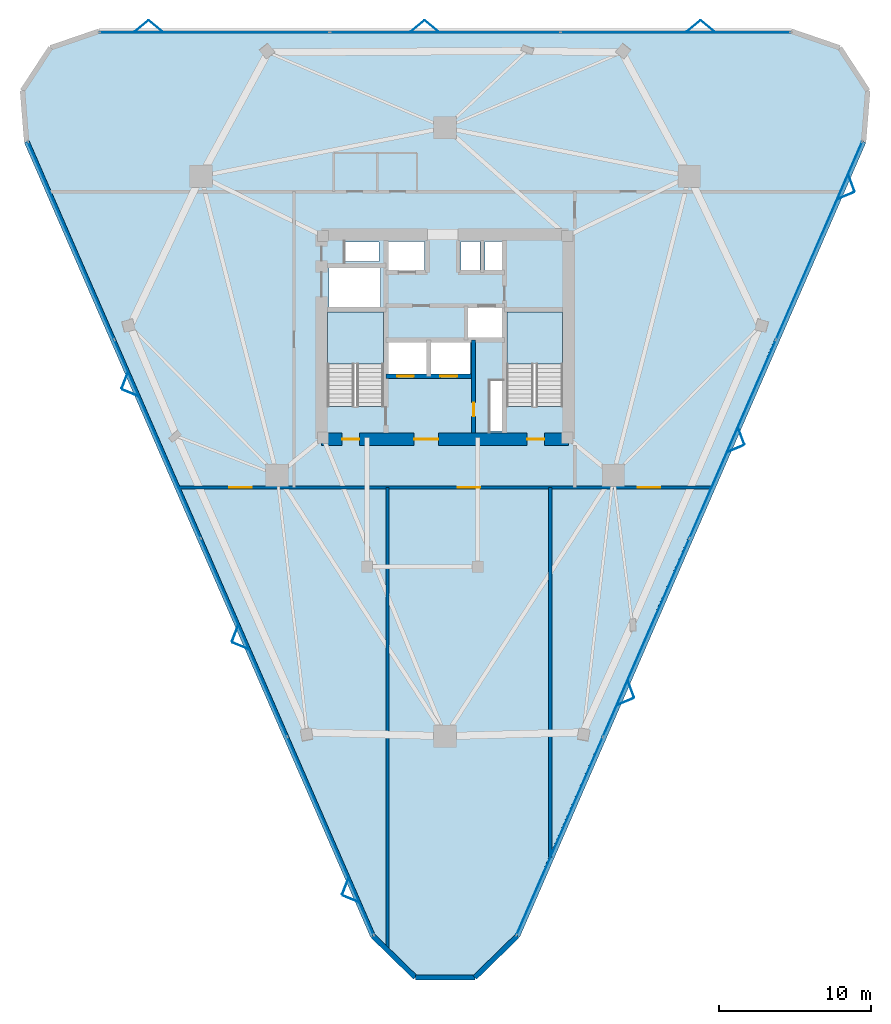
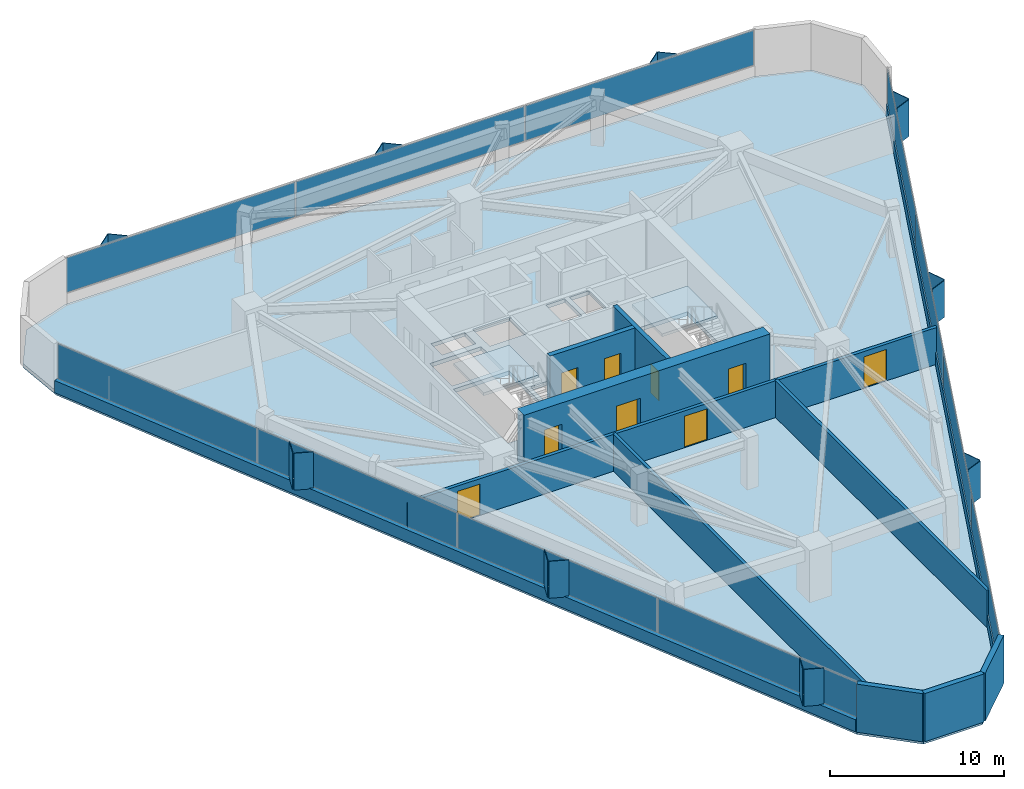
# One storey, part 8 of 11: 29 plates, 11 walls, 9 doors, 3 slabs, 9 openings, 5 elements without a shape of their own.
"""IFC4 building model written with IfcOpenShell, lengths in metres."""

from ifc_helpers import new_model, si_unit, direction, frame, frame_2d, origin, origin_2d, place, context, subcontext, project, spatial, polyline, rectangle, outline, extrude, material, layer, layer_set, type_object, element, fill, aggregate, save


model = new_model("IFC4")

# Units and contexts
model_context = context("Model", 3, precision=1e-05, world=origin(), true_north=direction((0.0, 1.0)))
body_context = subcontext(model_context, "Body", "Model", "MODEL_VIEW")
ifc_project = project(units=[si_unit("LENGTHUNIT", "METRE"), si_unit("AREAUNIT", "SQUARE_METRE"), si_unit("VOLUMEUNIT", "CUBIC_METRE"), si_unit("PLANEANGLEUNIT", "RADIAN"), si_unit("MASSUNIT", "GRAM", prefix="KILO")], contexts=[model_context])

# Site, building, storey
site_placement = place(None, origin())
site = spatial("IfcSite", under=ifc_project, at=site_placement, CompositionType="ELEMENT")
building_placement = place(site_placement, origin())
building = spatial("IfcBuilding", under=site, at=building_placement, Name="Talyreon Biosciences Tower", CompositionType="ELEMENT")
storey_placement = place(building_placement, frame((0.0, 0.0, 163.699951171875)))
storey = spatial("IfcBuildingStorey", under=building, at=storey_placement, Name="L43", CompositionType="ELEMENT", Elevation=163.699951171875)

# Curtain wall, plates
ifc_material_1 = material(Name="Thermally broken aluminium and low-E glazing", Category="aluminium")
ifc_layer_1 = layer(ifc_material_1, 0.18505859375)
ifc_layer_set_1 = layer_set([ifc_layer_1], Name="Thermally broken aluminium and low-E glazing")
curtain_wall_type = type_object("IfcCurtainWallType", Name="CurtainWall_Zone3Bioprocess", PredefinedType="NOTDEFINED", material=ifc_layer_set_1)
curtain_wall_1_placement = place(storey_placement, origin())
curtain_wall_1 = element("IfcCurtainWall", 1, at=curtain_wall_1_placement, inside=storey, type_object=curtain_wall_type, Name="L43 Unitised Curtain Wall FCW-L43-00", PredefinedType="NOTDEFINED")
ifc_material_2 = material(Name="Triple-silver low-E insulated glazing", Category="glass")
ifc_layer_2 = layer(ifc_material_2, 0.031982421875)
ifc_layer_set_2 = layer_set([ifc_layer_2], Name="Triple-silver low-E insulated glazing")
plate_type_1 = type_object("IfcPlateType", Name="CWGlazingPanel_32", PredefinedType="CURTAIN_PANEL", material=ifc_layer_set_2)
plate_1_placement = place(storey_placement, frame((58.446533203125, 35.08935546875, 0.875), z_axis=(0.0, 0.0, 1.0), x_axis=(-0.399504605621, 0.916731187474, 0.0)))
plate_1 = element("IfcPlate", 2, at=plate_1_placement, type_object=plate_type_1, Name="CW4 panel 1.1", PredefinedType="CURTAIN_PANEL", context=body_context, shape_type="SweptSolid", body=[
    extrude(rectangle(XDim=14.18701171875, YDim=0.031982421875, at=origin_2d()), origin(), (0.0, 0.0, 1.0), 2.43505859375),
])
plate_2_placement = place(storey_placement, frame((52.74609375, 48.16943359375, 0.875), z_axis=(0.0, 0.0, 1.0), x_axis=(-0.399504605621, 0.916731187474, 0.0)))
plate_2 = element("IfcPlate", 3, at=plate_2_placement, type_object=plate_type_1, Name="CW4 panel 2.1", PredefinedType="CURTAIN_PANEL", context=body_context, shape_type="SweptSolid", body=[
    extrude(rectangle(XDim=14.219482421875, YDim=0.031982421875, at=origin_2d()), origin(), (0.0, 0.0, 1.0), 2.43505859375),
])
plate_3_placement = place(storey_placement, frame((47.03955078125, 61.264404296875, 0.875), z_axis=(0.0, 0.0, 1.0), x_axis=(-0.399504605621, 0.916731187474, 0.0)))
plate_3 = element("IfcPlate", 4, at=plate_3_placement, type_object=plate_type_1, Name="CW4 panel 3.1", PredefinedType="CURTAIN_PANEL", context=body_context, shape_type="SweptSolid", body=[
    extrude(rectangle(XDim=14.219482421875, YDim=0.031982421875, at=origin_2d()), origin(), (0.0, 0.0, 1.0), 2.43505859375),
])
plate_4_placement = place(storey_placement, frame((41.33935546875, 74.3447265625, 0.875), z_axis=(0.0, 0.0, 1.0), x_axis=(-0.399504605621, 0.916731187474, 0.0)))
plate_4 = element("IfcPlate", 5, at=plate_4_placement, type_object=plate_type_1, Name="CW4 panel 4.1", PredefinedType="CURTAIN_PANEL", context=body_context, shape_type="SweptSolid", body=[
    extrude(rectangle(XDim=14.18701171875, YDim=0.031982421875, at=origin_2d()), origin(), (0.0, 0.0, 1.0), 2.43505859375),
])
aggregate(curtain_wall_1, [plate_1, plate_2, plate_3, plate_4])

curtain_wall_2_placement = place(storey_placement, origin())
curtain_wall_2 = element("IfcCurtainWall", 6, at=curtain_wall_2_placement, inside=storey, type_object=curtain_wall_type, Name="L43 Unitised Curtain Wall FCW-L43-04", PredefinedType="NOTDEFINED")
plate_5_placement = place(storey_placement, frame((50.79833984375, 88.072509765625, 0.875), z_axis=(0.0, 0.0, 1.0), x_axis=(1.0, 0.0, 0.0)))
plate_5 = element("IfcPlate", 7, at=plate_5_placement, type_object=plate_type_1, Name="CW4 panel 1.1", PredefinedType="CURTAIN_PANEL", context=body_context, shape_type="SweptSolid", body=[
    extrude(rectangle(XDim=15.120361328125, YDim=0.031982421875, at=origin_2d()), origin(), (0.0, 0.0, 1.0), 2.43505859375),
])
plate_6_placement = place(storey_placement, frame((66.0, 88.072509765625, 0.875), z_axis=(0.0, 0.0, 1.0), x_axis=(1.0, 0.0, 0.0)))
plate_6 = element("IfcPlate", 8, at=plate_6_placement, type_object=plate_type_1, Name="CW4 panel 2.1", PredefinedType="CURTAIN_PANEL", context=body_context, shape_type="SweptSolid", body=[
    extrude(rectangle(XDim=15.15283203125, YDim=0.031982421875, at=origin_2d()), origin(), (0.0, 0.0, 1.0), 2.43505859375),
])
plate_7_placement = place(storey_placement, frame((81.20166015625, 88.072509765625, 0.875), z_axis=(0.0, 0.0, 1.0), x_axis=(1.0, 0.0, 0.0)))
plate_7 = element("IfcPlate", 9, at=plate_7_placement, type_object=plate_type_1, Name="CW4 panel 3.1", PredefinedType="CURTAIN_PANEL", context=body_context, shape_type="SweptSolid", body=[
    extrude(rectangle(XDim=15.120361328125, YDim=0.031982421875, at=origin_2d()), origin(), (0.0, 0.0, 1.0), 2.43505859375),
])
aggregate(curtain_wall_2, [plate_5, plate_6, plate_7])

curtain_wall_3_placement = place(storey_placement, origin())
curtain_wall_3 = element("IfcCurtainWall", 10, at=curtain_wall_3_placement, inside=storey, type_object=curtain_wall_type, Name="L43 Unitised Curtain Wall FCW-L43-08", PredefinedType="NOTDEFINED")
plate_8_placement = place(storey_placement, frame((90.66064453125, 74.3447265625, 0.875), z_axis=(0.0, 0.0, 1.0), x_axis=(-0.399504605621, -0.916731187474, 0.0)))
plate_8 = element("IfcPlate", 11, at=plate_8_placement, type_object=plate_type_1, Name="CW4 panel 1.1", PredefinedType="CURTAIN_PANEL", context=body_context, shape_type="SweptSolid", body=[
    extrude(rectangle(XDim=14.18701171875, YDim=0.031982421875, at=origin_2d()), origin(), (0.0, 0.0, 1.0), 2.43505859375),
])
plate_9_placement = place(storey_placement, frame((84.96044921875, 61.264404296875, 0.875), z_axis=(0.0, 0.0, 1.0), x_axis=(-0.399504605621, -0.916731187474, 0.0)))
plate_9 = element("IfcPlate", 12, at=plate_9_placement, type_object=plate_type_1, Name="CW4 panel 2.1", PredefinedType="CURTAIN_PANEL", context=body_context, shape_type="SweptSolid", body=[
    extrude(rectangle(XDim=14.219482421875, YDim=0.031982421875, at=origin_2d()), origin(), (0.0, 0.0, 1.0), 2.43505859375),
])
plate_10_placement = place(storey_placement, frame((79.25390625, 48.16943359375, 0.875), z_axis=(0.0, 0.0, 1.0), x_axis=(-0.399504605621, -0.916731187474, 0.0)))
plate_10 = element("IfcPlate", 13, at=plate_10_placement, type_object=plate_type_1, Name="CW4 panel 3.1", PredefinedType="CURTAIN_PANEL", context=body_context, shape_type="SweptSolid", body=[
    extrude(rectangle(XDim=14.219482421875, YDim=0.031982421875, at=origin_2d()), origin(), (0.0, 0.0, 1.0), 2.43505859375),
])
plate_11_placement = place(storey_placement, frame((73.553466796875, 35.08935546875, 0.875), z_axis=(0.0, 0.0, 1.0), x_axis=(-0.399504605621, -0.916731187474, 0.0)))
plate_11 = element("IfcPlate", 14, at=plate_11_placement, type_object=plate_type_1, Name="CW4 panel 4.1", PredefinedType="CURTAIN_PANEL", context=body_context, shape_type="SweptSolid", body=[
    extrude(rectangle(XDim=14.18701171875, YDim=0.031982421875, at=origin_2d()), origin(), (0.0, 0.0, 1.0), 2.43505859375),
])
aggregate(curtain_wall_3, [plate_8, plate_9, plate_10, plate_11])

# Plates
ifc_material_3 = material(Name="Ivory GFRC sunshade panel", Category="concrete")
ifc_layer_3 = layer(ifc_material_3, 0.044921875)
ifc_layer_set_3 = layer_set([ifc_layer_3], Name="Ivory GFRC sunshade panel")
plate_type_2 = type_object("IfcPlateType", Name="FoldedVSunshade_NorthFace_SUNSHADE", PredefinedType="USERDEFINED", material=ifc_layer_set_3)
for number, where, z_axis, x_axis, name in (
    (15, (45.9931640625, 88.512451171875, 0.7900390625), (0.0, 0.0, 1.0), (0.771624583388, 0.636078220278, 0.0), "L43 Folded V-Sunshade Panel 04.01L"),
    (16, (46.89306640625, 88.512451171875, 0.7900390625), (0.0, 0.0, 1.0), (0.771624583388, -0.636078220278, 0.0), "L43 Folded V-Sunshade Panel 04.01R"),
    (17, (64.193115234375, 88.512451171875, 0.7900390625), (0.0, 0.0, 1.0), (0.771624583388, 0.636078220278, 0.0), "L43 Folded V-Sunshade Panel 04.02L"),
    (18, (65.093017578125, 88.512451171875, 0.7900390625), (0.0, 0.0, 1.0), (0.771624583388, -0.636078220278, 0.0), "L43 Folded V-Sunshade Panel 04.02R"),
    (19, (82.39306640625, 88.512451171875, 0.7900390625), (0.0, 0.0, 1.0), (0.771624583388, 0.636078220278, 0.0), "L43 Folded V-Sunshade Panel 04.03L"),
    (20, (83.293212890625, 88.512451171875, 0.7900390625), (0.0, 0.0, 1.0), (0.771624583388, -0.636078220278, 0.0), "L43 Folded V-Sunshade Panel 04.03R"),
):
    element("IfcPlate", number, at=place(storey_placement, frame(where, z_axis=z_axis, x_axis=x_axis)), inside=storey, type_object=plate_type_2, Name=name, ObjectType="SUNSHADE", PredefinedType="USERDEFINED", context=body_context, shape_type="SweptSolid", body=[
        extrude(rectangle(XDim=1.14990234375, YDim=0.044921875, at=origin_2d()), origin(), (0.0, 0.0, 1.0), 2.5849609375),
    ])
ifc_layer_4 = layer(ifc_material_3, 0.044921875)
ifc_layer_set_4 = layer_set([ifc_layer_4], Name="Ivory GFRC sunshade panel")
plate_type_3 = type_object("IfcPlateType", Name="FoldedVSunshade_SunFace_SUNSHADE", PredefinedType="USERDEFINED", material=ifc_layer_set_4)
for number, where, z_axis, x_axis, name in (
    (21, (59.7763671875, 30.936279296875, 0.7900390625), (0.0, 0.0, 1.0), (-0.924193138674, 0.381925440929, 0.0), "L43 Folded V-Sunshade Panel 00.01L"),
    (22, (59.416748046875, 31.76123046875, 0.7900390625), (0.0, 0.0, 1.0), (0.349438906874, 0.936959150851, 0.0), "L43 Folded V-Sunshade Panel 00.01R"),
    (23, (52.50537109375, 47.620849609375, 0.7900390625), (0.0, 0.0, 1.0), (-0.924193138674, 0.381925440929, 0.0), "L43 Folded V-Sunshade Panel 00.02L"),
    (24, (52.145751953125, 48.44580078125, 0.7900390625), (0.0, 0.0, 1.0), (0.349438906874, 0.936959150851, 0.0), "L43 Folded V-Sunshade Panel 00.02R"),
    (25, (45.234375, 64.305419921875, 0.7900390625), (0.0, 0.0, 1.0), (-0.924193138674, 0.381925440929, 0.0), "L43 Folded V-Sunshade Panel 00.03L"),
    (26, (44.875, 65.13037109375, 0.7900390625), (0.0, 0.0, 1.0), (0.349438906874, 0.936959150851, 0.0), "L43 Folded V-Sunshade Panel 00.03R"),
    (27, (92.79736328125, 78.14599609375, 0.7900390625), (0.0, 0.0, 1.0), (0.349438906874, -0.936959150851, 0.0), "L43 Folded V-Sunshade Panel 08.01L"),
    (28, (92.437744140625, 77.321044921875, 0.7900390625), (0.0, 0.0, 1.0), (-0.924193138674, -0.381925440929, 0.0), "L43 Folded V-Sunshade Panel 08.01R"),
    (29, (85.5263671875, 61.461669921875, 0.7900390625), (0.0, 0.0, 1.0), (0.349438906874, -0.936959150851, 0.0), "L43 Folded V-Sunshade Panel 08.02L"),
    (30, (85.166748046875, 60.636474609375, 0.7900390625), (0.0, 0.0, 1.0), (-0.924193138674, -0.381925440929, 0.0), "L43 Folded V-Sunshade Panel 08.02R"),
    (31, (78.25537109375, 44.777099609375, 0.7900390625), (0.0, 0.0, 1.0), (0.349438906874, -0.936959150851, 0.0), "L43 Folded V-Sunshade Panel 08.03L"),
    (32, (77.895751953125, 43.951904296875, 0.7900390625), (0.0, 0.0, 1.0), (-0.924193138674, -0.381925440929, 0.0), "L43 Folded V-Sunshade Panel 08.03R"),
):
    element("IfcPlate", number, at=place(storey_placement, frame(where, z_axis=z_axis, x_axis=x_axis)), inside=storey, type_object=plate_type_3, Name=name, ObjectType="SUNSHADE", PredefinedType="USERDEFINED", context=body_context, shape_type="SweptSolid", body=[
        extrude(rectangle(XDim=1.14990234375, YDim=0.044921875, at=origin_2d()), origin(), (0.0, 0.0, 1.0), 2.5849609375),
    ])

# Stair, slab
ifc_material_4 = material(Name="Concrete C40/50", Category="concrete")
stair_type = type_object("IfcStairType", Name="DoglegEscapeStair_3650", PredefinedType="HALF_TURN_STAIR", material=ifc_material_4)
stair_1_placement = place(storey_placement, origin())
stair_1 = element("IfcStair", 33, at=stair_1_placement, inside=storey, type_object=stair_type, Name="L43 Core Escape Stair 1", PredefinedType="HALF_TURN_STAIR")
ifc_layer_5 = layer(ifc_material_4, 0.199951171875)
ifc_layer_set_5 = layer_set([ifc_layer_5], Name="Concrete C40/50")
slab_type_1 = type_object("IfcSlabType", Name="StairLandingSlab_200", PredefinedType="LANDING", material=ifc_layer_set_5)
slab_1_placement = place(storey_placement, frame((0.0, 0.0, 1.625)))
slab_1 = element("IfcSlab", 34, at=slab_1_placement, type_object=slab_type_1, Name="ST-1 landing 1", PredefinedType="LANDING", context=body_context, shape_type="SweptSolid", body=[
    extrude(outline(polyline([(61.929931640625, 66.199951171875), (61.929931640625, 69.64990234375), (58.25, 69.64990234375), (58.25, 66.199951171875), (61.929931640625, 66.199951171875)])), origin(), (0.0, 0.0, 1.0), 0.199951171875),
])
aggregate(stair_1, [slab_1])

stair_2_placement = place(storey_placement, origin())
stair_2 = element("IfcStair", 35, at=stair_2_placement, inside=storey, type_object=stair_type, Name="L43 Core Escape Stair 2", PredefinedType="HALF_TURN_STAIR")
slab_2_placement = place(storey_placement, frame((0.0, 0.0, 1.625)))
slab_2 = element("IfcSlab", 36, at=slab_2_placement, type_object=slab_type_1, Name="ST-2 landing 1", PredefinedType="LANDING", context=body_context, shape_type="SweptSolid", body=[
    extrude(outline(polyline([(73.75, 66.199951171875), (73.75, 69.64990234375), (70.070068359375, 69.64990234375), (70.070068359375, 66.199951171875), (73.75, 66.199951171875)])), origin(), (0.0, 0.0, 1.0), 0.199951171875),
])
aggregate(stair_2, [slab_2])

# Slab
ifc_layer_6 = layer(ifc_material_4, 0.27490234375)
ifc_layer_set_6 = layer_set([ifc_layer_6], Name="Concrete C40/50")
slab_type_2 = type_object("IfcSlabType", Name="WetLabFloorSlab_275", PredefinedType="FLOOR", material=ifc_layer_set_6)
slab_3_placement = place(storey_placement, frame((0.0, 0.0, -0.27490234375)))
element("IfcSlab", 37, at=slab_3_placement, inside=storey, type_object=slab_type_2, Name="L43 Structural Floor Slab", PredefinedType="FLOOR", context=body_context, shape_type="SweptSolid", body=[
    extrude(outline(polyline([(61.23291015625, 28.494873046875), (38.406005859375, 80.875), (38.13427734375, 84.237060546875), (39.982421875, 87.05859375), (43.173095703125, 88.152587890625), (88.826904296875, 88.152587890625), (92.017578125, 87.05859375), (93.86572265625, 84.237060546875), (93.593994140625, 80.875), (70.76708984375, 28.494873046875), (67.960693359375, 25.756103515625), (64.039306640625, 25.756103515625), (61.23291015625, 28.494873046875)]), holes=[polyline([(61.929931640625, 69.64990234375), (61.929931640625, 63.407958984375), (58.25, 63.407958984375), (58.25, 69.64990234375), (61.929931640625, 69.64990234375)]), polyline([(64.800048828125, 67.64990234375), (64.800048828125, 65.550048828125), (62.199951171875, 65.550048828125), (62.199951171875, 67.64990234375), (64.800048828125, 67.64990234375)]), polyline([(67.64990234375, 67.64990234375), (67.64990234375, 65.550048828125), (65.050048828125, 65.550048828125), (65.050048828125, 67.64990234375), (67.64990234375, 67.64990234375)]), polyline([(61.75, 69.97998046875), (58.35009765625, 69.97998046875), (58.35009765625, 72.550048828125), (61.75, 72.550048828125), (61.75, 69.97998046875)]), polyline([(64.64990234375, 72.35009765625), (62.199951171875, 72.35009765625), (62.199951171875, 74.300048828125), (64.64990234375, 74.300048828125), (64.64990234375, 72.35009765625)]), polyline([(61.64990234375, 74.25), (61.64990234375, 72.9599609375), (59.39990234375, 72.9599609375), (59.39990234375, 74.25), (61.64990234375, 74.25)]), polyline([(69.820068359375, 61.800048828125), (68.9599609375, 61.800048828125), (68.9599609375, 65.10009765625), (69.820068359375, 65.10009765625), (69.820068359375, 61.800048828125)]), polyline([(73.75, 63.407958984375), (70.070068359375, 63.407958984375), (70.070068359375, 69.64990234375), (73.75, 69.64990234375), (73.75, 63.407958984375)]), polyline([(69.89990234375, 69.949951171875), (69.89990234375, 67.949951171875), (67.5, 67.949951171875), (67.5, 69.949951171875), (69.89990234375, 69.949951171875)]), polyline([(68.300048828125, 72.35009765625), (67.050048828125, 72.35009765625), (67.050048828125, 74.300048828125), (68.300048828125, 74.300048828125), (68.300048828125, 72.35009765625)]), polyline([(69.919921875, 72.35009765625), (68.6201171875, 72.35009765625), (68.6201171875, 74.300048828125), (69.919921875, 74.300048828125), (69.919921875, 72.35009765625)])]), origin(), (0.0, 0.0, 1.0), 0.27490234375),
])

# Walls
ifc_material_5 = material(Name="Gypsum fireboard acoustic stud", Category="gypsum")
ifc_layer_7 = layer(ifc_material_5, 0.199951171875)
ifc_layer_set_7 = layer_set([ifc_layer_7], Name="Gypsum fireboard acoustic stud")
wall_type_1 = type_object("IfcWallType", Name="ChemControlPartition_200", PredefinedType="PARTITIONING", material=ifc_layer_set_7)
wall_1_placement = place(storey_placement, frame((62.199951171875, 27.669921875, 0.0), z_axis=(0.0, 0.0, 1.0), x_axis=(0.0, 1.0, 0.0)))
element("IfcWall", 38, at=wall_1_placement, inside=storey, type_object=wall_type_1, Name="L43 Interior Wall IW-L43-SDIV1", PredefinedType="PARTITIONING", context=body_context, shape_type="SweptSolid", body=[
    extrude(rectangle(XDim=30.400146484375, YDim=0.199951171875, at=frame_2d((15.2001953125, 0.0))), origin(), (0.0, 0.0, 1.0), 2.574951171875),
])
wall_2_placement = place(storey_placement, frame((72.93408203125, 33.68017578125, 0.0), z_axis=(0.0, 0.0, 1.0), x_axis=(0.0, 1.0, 0.0)))
element("IfcWall", 39, at=wall_2_placement, inside=storey, type_object=wall_type_1, Name="L43 Interior Wall IW-L43-SDIV2", PredefinedType="PARTITIONING", context=body_context, shape_type="SweptSolid", body=[
    extrude(rectangle(XDim=24.389892578125, YDim=0.199951171875, at=frame_2d((12.19482421875, 0.0))), origin(), (0.0, 0.0, 1.0), 2.574951171875),
])

# Wall, opening, door
ifc_material_6 = material(Name="Concrete C50/60", Category="concrete")
ifc_layer_8 = layer(ifc_material_6, 0.280029296875)
ifc_layer_set_8 = layer_set([ifc_layer_8], Name="Concrete C50/60")
wall_type_2 = type_object("IfcWallType", Name="CoreShearWall_280", PredefinedType="SHEAR", material=ifc_layer_set_8)
wall_3_placement = place(storey_placement, frame((67.8798828125, 61.64990234375, 0.0), z_axis=(0.0, 0.0, 1.0), x_axis=(0.0, 1.0, 0.0)))
wall_3 = element("IfcWall", 40, at=wall_3_placement, inside=storey, type_object=wall_type_2, Name="L43 Core Shaft Wall SWFFE", PredefinedType="SHEAR", context=body_context, shape_type="SweptSolid", body=[
    extrude(rectangle(XDim=6.150146484375, YDim=0.280029296875, at=frame_2d((3.0751953125, 0.0))), origin(), (0.0, 0.0, 1.0), 3.650146484375),
])
opening_1_placement = place(wall_3_placement, frame((1.10009765625, 0.0, 0.0)))
opening_1 = element("IfcOpeningElement", 41, at=opening_1_placement, cuts=wall_3, Name="Opening DR-L43-RSE", PredefinedType="OPENING", context=body_context, shape_type="SweptSolid", body=[
    extrude(rectangle(XDim=0.919921875, YDim=2.050048828125, at=frame_2d((0.4599609375, 1.02490234375))), frame((0.0, 0.14990234375, 0.0), z_axis=(0.0, -1.0, 0.0), x_axis=(1.0, 0.0, 0.0)), (0.0, 0.0, 1.0), 0.300048828125),
])
ifc_material_7 = material(Name="Painted steel fire-rated riser door", Category="steel")
door_type_1 = type_object("IfcDoorType", Name="RiserPlantAccessDoor_920x2050", OperationType="NOTDEFINED", PredefinedType="DOOR", material=ifc_material_7)
door_1_placement = place(opening_1_placement, origin())
door_1 = element("IfcDoor", 42, at=door_1_placement, inside=storey, type_object=door_type_1, Name="L43 Core Door DR-L43-RSE", OperationType="SINGLE_SWING_RIGHT", OverallHeight=2.050048828125, OverallWidth=0.919921875, PredefinedType="DOOR", context=body_context, shape_type="SweptSolid", body=[
    extrude(rectangle(XDim=0.919921875, YDim=2.050048828125, at=frame_2d((0.4599609375, 1.02490234375))), frame((0.0, 0.02490234375, 0.0), z_axis=(0.0, -1.0, 0.0), x_axis=(1.0, 0.0, 0.0)), (0.0, 0.0, 1.0), 0.050048828125),
])
fill(opening_1, door_1)

# Wall, openings, doors
ifc_layer_9 = layer(ifc_material_6, 0.320068359375)
ifc_layer_set_9 = layer_set([ifc_layer_9], Name="Concrete C50/60")
wall_type_3 = type_object("IfcWallType", Name="CoreShearWall_320", PredefinedType="SHEAR", material=ifc_layer_set_9)
wall_4_placement = place(storey_placement, frame((62.090087890625, 65.39990234375, 0.0), z_axis=(0.0, 0.0, 1.0), x_axis=(1.0, 0.0, 0.0)))
wall_4 = element("IfcWall", 43, at=wall_4_placement, inside=storey, type_object=wall_type_3, Name="L43 Core Shaft Wall SWFFN", PredefinedType="SHEAR", context=body_context, shape_type="SweptSolid", body=[
    extrude(rectangle(XDim=5.789794921875, YDim=0.320068359375, at=frame_2d((2.89501953125, 0.0))), origin(), (0.0, 0.0, 1.0), 3.650146484375),
])
opening_2_placement = place(wall_4_placement, frame((0.75, 0.0, 0.0)))
opening_2 = element("IfcOpeningElement", 44, at=opening_2_placement, cuts=wall_4, Name="Opening LD-L43-FL1", PredefinedType="OPENING", context=body_context, shape_type="SweptSolid", body=[
    extrude(rectangle(XDim=1.10009765625, YDim=2.199951171875, at=frame_2d((0.550048828125, 1.10009765625))), frame((0.0, 0.169921875, 0.0), z_axis=(0.0, -1.0, 0.0), x_axis=(1.0, 0.0, 0.0)), (0.0, 0.0, 1.0), 0.340087890625),
])
opening_3_placement = place(wall_4_placement, frame((3.60009765625, 0.0, 0.0)))
opening_3 = element("IfcOpeningElement", 45, at=opening_3_placement, cuts=wall_4, Name="Opening LD-L43-FL2", PredefinedType="OPENING", context=body_context, shape_type="SweptSolid", body=[
    extrude(rectangle(XDim=1.10009765625, YDim=2.199951171875, at=frame_2d((0.550048828125, 1.10009765625))), frame((0.0, 0.169921875, 0.0), z_axis=(0.0, -1.0, 0.0), x_axis=(1.0, 0.0, 0.0)), (0.0, 0.0, 1.0), 0.340087890625),
])
ifc_material_8 = material(Name="Brushed stainless-steel lift landing door", Category="steel")
door_type_2 = type_object("IfcDoorType", Name="LiftSlidingLandingDoor_1100x2200", OperationType="SLIDING_TO_LEFT", PredefinedType="DOOR", material=ifc_material_8)
door_2_placement = place(opening_2_placement, origin())
door_2 = element("IfcDoor", 46, at=door_2_placement, inside=storey, type_object=door_type_2, Name="L43 Core Door LD-L43-FL1", OperationType="SLIDING_TO_LEFT", OverallHeight=2.199951171875, OverallWidth=1.10009765625, PredefinedType="DOOR", context=body_context, shape_type="SweptSolid", body=[
    extrude(rectangle(XDim=1.10009765625, YDim=2.199951171875, at=frame_2d((0.550048828125, 1.10009765625))), frame((0.0, 0.02490234375, 0.0), z_axis=(0.0, -1.0, 0.0), x_axis=(1.0, 0.0, 0.0)), (0.0, 0.0, 1.0), 0.050048828125),
])
fill(opening_2, door_2)
door_3_placement = place(opening_3_placement, origin())
door_3 = element("IfcDoor", 47, at=door_3_placement, inside=storey, type_object=door_type_2, Name="L43 Core Door LD-L43-FL2", OperationType="SLIDING_TO_LEFT", OverallHeight=2.199951171875, OverallWidth=1.10009765625, PredefinedType="DOOR", context=body_context, shape_type="SweptSolid", body=[
    extrude(rectangle(XDim=1.10009765625, YDim=2.199951171875, at=frame_2d((0.550048828125, 1.10009765625))), frame((0.0, 0.02490234375, 0.0), z_axis=(0.0, -1.0, 0.0), x_axis=(1.0, 0.0, 0.0)), (0.0, 0.0, 1.0), 0.050048828125),
])
fill(opening_3, door_3)

ifc_material_9 = material(Name="Concrete C60/75", Category="concrete")
ifc_layer_10 = layer(ifc_material_9, 0.800048828125)
ifc_layer_set_10 = layer_set([ifc_layer_10], Name="Concrete C60/75")
wall_type_4 = type_object("IfcWallType", Name="CoreShearWall_800", PredefinedType="SHEAR", material=ifc_layer_set_10)
wall_5_placement = place(storey_placement, frame((57.85009765625, 61.25, 0.0), z_axis=(0.0, 0.0, 1.0), x_axis=(1.0, 0.0, 0.0)))
wall_5 = element("IfcWall", 48, at=wall_5_placement, inside=storey, type_object=wall_type_4, Name="L43 Core Shear Wall S", PredefinedType="SHEAR", context=body_context, shape_type="SweptSolid", body=[
    extrude(rectangle(XDim=16.2998046875, YDim=0.800048828125, at=frame_2d((8.14990234375, 0.0))), origin(), (0.0, 0.0, 1.0), 3.650146484375),
])
opening_4_placement = place(wall_5_placement, frame((1.35009765625, 0.0, 0.0)))
opening_4 = element("IfcOpeningElement", 49, at=opening_4_placement, cuts=wall_5, Name="Opening DR-L43-ST1", PredefinedType="OPENING", context=body_context, shape_type="SweptSolid", body=[
    extrude(rectangle(XDim=1.14990234375, YDim=2.14990234375, at=frame_2d((0.574951171875, 1.074951171875))), frame((0.0, 0.409912109375, 0.0), z_axis=(0.0, -1.0, 0.0), x_axis=(1.0, 0.0, 0.0)), (0.0, 0.0, 1.0), 0.820068359375),
])
opening_5_placement = place(wall_5_placement, frame((6.10009765625, 0.0, 0.0)))
opening_5 = element("IfcOpeningElement", 50, at=opening_5_placement, cuts=wall_5, Name="Opening DR-L43-FFL", PredefinedType="OPENING", context=body_context, shape_type="SweptSolid", body=[
    extrude(rectangle(XDim=1.60009765625, YDim=2.14990234375, at=frame_2d((0.800048828125, 1.074951171875))), frame((0.0, 0.409912109375, 0.0), z_axis=(0.0, -1.0, 0.0), x_axis=(1.0, 0.0, 0.0)), (0.0, 0.0, 1.0), 0.820068359375),
])
opening_6_placement = place(wall_5_placement, frame((13.550048828125, 0.0, 0.0)))
opening_6 = element("IfcOpeningElement", 51, at=opening_6_placement, cuts=wall_5, Name="Opening DR-L43-ST2", PredefinedType="OPENING", context=body_context, shape_type="SweptSolid", body=[
    extrude(rectangle(XDim=1.14990234375, YDim=2.14990234375, at=frame_2d((0.574951171875, 1.074951171875))), frame((0.0, 0.409912109375, 0.0), z_axis=(0.0, -1.0, 0.0), x_axis=(1.0, 0.0, 0.0)), (0.0, 0.0, 1.0), 0.820068359375),
])
ifc_material_10 = material(Name="Painted steel smoke-seal fire door", Category="steel")
door_type_3 = type_object("IfcDoorType", Name="FirefightingLobbyDoubleDoor_1600x2150", OperationType="DOUBLE_DOOR_SINGLE_SWING", PredefinedType="DOOR", material=ifc_material_10)
door_4_placement = place(opening_5_placement, origin())
door_4 = element("IfcDoor", 52, at=door_4_placement, inside=storey, type_object=door_type_3, Name="L43 Core Door DR-L43-FFL", OperationType="DOUBLE_DOOR_SINGLE_SWING", OverallHeight=2.14990234375, OverallWidth=1.60009765625, PredefinedType="DOOR", context=body_context, shape_type="SweptSolid", body=[
    extrude(rectangle(XDim=1.60009765625, YDim=2.14990234375, at=frame_2d((0.800048828125, 1.074951171875))), frame((0.0, 0.02490234375, 0.0), z_axis=(0.0, -1.0, 0.0), x_axis=(1.0, 0.0, 0.0)), (0.0, 0.0, 1.0), 0.050048828125),
])
fill(opening_5, door_4)
ifc_material_11 = material(Name="Painted steel fire door", Category="steel")
door_type_4 = type_object("IfcDoorType", Name="StairShaftFireDoor_1150x2150", OperationType="NOTDEFINED", PredefinedType="DOOR", material=ifc_material_11)
door_5_placement = place(opening_4_placement, origin())
door_5 = element("IfcDoor", 53, at=door_5_placement, inside=storey, type_object=door_type_4, Name="L43 Core Door DR-L43-ST1", OperationType="SINGLE_SWING_LEFT", OverallHeight=2.14990234375, OverallWidth=1.14990234375, PredefinedType="DOOR", context=body_context, shape_type="SweptSolid", body=[
    extrude(rectangle(XDim=1.14990234375, YDim=2.14990234375, at=frame_2d((0.574951171875, 1.074951171875))), frame((0.0, 0.02490234375, 0.0), z_axis=(0.0, -1.0, 0.0), x_axis=(1.0, 0.0, 0.0)), (0.0, 0.0, 1.0), 0.050048828125),
])
fill(opening_4, door_5)
door_6_placement = place(opening_6_placement, origin())
door_6 = element("IfcDoor", 54, at=door_6_placement, inside=storey, type_object=door_type_4, Name="L43 Core Door DR-L43-ST2", OperationType="SINGLE_SWING_RIGHT", OverallHeight=2.14990234375, OverallWidth=1.14990234375, PredefinedType="DOOR", context=body_context, shape_type="SweptSolid", body=[
    extrude(rectangle(XDim=1.14990234375, YDim=2.14990234375, at=frame_2d((0.574951171875, 1.074951171875))), frame((0.0, 0.02490234375, 0.0), z_axis=(0.0, -1.0, 0.0), x_axis=(1.0, 0.0, 0.0)), (0.0, 0.0, 1.0), 0.050048828125),
])
fill(opening_6, door_6)

ifc_layer_11 = layer(ifc_material_5, 0.219970703125)
ifc_layer_set_11 = layer_set([ifc_layer_11], Name="Gypsum fireboard acoustic stud")
wall_type_5 = type_object("IfcWallType", Name="CorridorRatedPartition_220", PredefinedType="PARTITIONING", material=ifc_layer_set_11)
wall_6_placement = place(storey_placement, frame((48.43701171875, 58.070068359375, 0.0), z_axis=(0.0, 0.0, 1.0), x_axis=(1.0, 0.0, 0.0)))
wall_6 = element("IfcWall", 55, at=wall_6_placement, inside=storey, type_object=wall_type_5, Name="L43 Interior Wall IW-L43-COR-S", PredefinedType="PARTITIONING", context=body_context, shape_type="SweptSolid", body=[
    extrude(rectangle(XDim=35.1259765625, YDim=0.219970703125, at=frame_2d((17.56298828125, 0.0))), origin(), (0.0, 0.0, 1.0), 2.574951171875),
])
opening_7_placement = place(wall_6_placement, frame((3.31298828125, 0.0, 0.0)))
opening_7 = element("IfcOpeningElement", 56, at=opening_7_placement, cuts=wall_6, Name="Opening DR-L43-S1A", PredefinedType="OPENING", context=body_context, shape_type="SweptSolid", body=[
    extrude(rectangle(XDim=1.5, YDim=2.199951171875, at=frame_2d((0.75, 1.10009765625))), frame((0.0, 0.119873046875, 0.0), z_axis=(0.0, -1.0, 0.0), x_axis=(1.0, 0.0, 0.0)), (0.0, 0.0, 1.0), 0.239990234375),
])
opening_8_placement = place(wall_6_placement, frame((18.3798828125, 0.0, 0.0)))
opening_8 = element("IfcOpeningElement", 57, at=opening_8_placement, cuts=wall_6, Name="Opening DR-L43-S2A", PredefinedType="OPENING", context=body_context, shape_type="SweptSolid", body=[
    extrude(rectangle(XDim=1.5, YDim=2.199951171875, at=frame_2d((0.75, 1.10009765625))), frame((0.0, 0.119873046875, 0.0), z_axis=(0.0, -1.0, 0.0), x_axis=(1.0, 0.0, 0.0)), (0.0, 0.0, 1.0), 0.239990234375),
])
opening_9_placement = place(wall_6_placement, frame((30.251953125, 0.0, 0.0)))
opening_9 = element("IfcOpeningElement", 58, at=opening_9_placement, cuts=wall_6, Name="Opening DR-L43-S3A", PredefinedType="OPENING", context=body_context, shape_type="SweptSolid", body=[
    extrude(rectangle(XDim=1.5, YDim=2.199951171875, at=frame_2d((0.75, 1.10009765625))), frame((0.0, 0.119873046875, 0.0), z_axis=(0.0, -1.0, 0.0), x_axis=(1.0, 0.0, 0.0)), (0.0, 0.0, 1.0), 0.239990234375),
])
ifc_material_12 = material(Name="Vision-panel steel laboratory fire door", Category="steel")
door_type_5 = type_object("IfcDoorType", Name="WetLabDoubleLeafDoor_1500x2200", OperationType="DOUBLE_DOOR_SINGLE_SWING", PredefinedType="DOOR", material=ifc_material_12)
door_7_placement = place(opening_7_placement, origin())
door_7 = element("IfcDoor", 59, at=door_7_placement, inside=storey, type_object=door_type_5, Name="L43 Interior Door DR-L43-S1A", OperationType="DOUBLE_DOOR_SINGLE_SWING", OverallHeight=2.199951171875, OverallWidth=1.5, PredefinedType="DOOR", context=body_context, shape_type="SweptSolid", body=[
    extrude(rectangle(XDim=1.5, YDim=2.199951171875, at=frame_2d((0.75, 1.10009765625))), frame((0.0, 0.02490234375, 0.0), z_axis=(0.0, -1.0, 0.0), x_axis=(1.0, 0.0, 0.0)), (0.0, 0.0, 1.0), 0.050048828125),
])
fill(opening_7, door_7)
door_8_placement = place(opening_8_placement, origin())
door_8 = element("IfcDoor", 60, at=door_8_placement, inside=storey, type_object=door_type_5, Name="L43 Interior Door DR-L43-S2A", OperationType="DOUBLE_DOOR_SINGLE_SWING", OverallHeight=2.199951171875, OverallWidth=1.5, PredefinedType="DOOR", context=body_context, shape_type="SweptSolid", body=[
    extrude(rectangle(XDim=1.5, YDim=2.199951171875, at=frame_2d((0.75, 1.10009765625))), frame((0.0, 0.02490234375, 0.0), z_axis=(0.0, -1.0, 0.0), x_axis=(1.0, 0.0, 0.0)), (0.0, 0.0, 1.0), 0.050048828125),
])
fill(opening_8, door_8)
door_9_placement = place(opening_9_placement, origin())
door_9 = element("IfcDoor", 61, at=door_9_placement, inside=storey, type_object=door_type_5, Name="L43 Interior Door DR-L43-S3A", OperationType="DOUBLE_DOOR_SINGLE_SWING", OverallHeight=2.199951171875, OverallWidth=1.5, PredefinedType="DOOR", context=body_context, shape_type="SweptSolid", body=[
    extrude(rectangle(XDim=1.5, YDim=2.199951171875, at=frame_2d((0.75, 1.10009765625))), frame((0.0, 0.02490234375, 0.0), z_axis=(0.0, -1.0, 0.0), x_axis=(1.0, 0.0, 0.0)), (0.0, 0.0, 1.0), 0.050048828125),
])
fill(opening_9, door_9)

# Walls
ifc_material_13 = material(Name="Precast concrete C45/55", Category="concrete")
ifc_layer_12 = layer(ifc_material_13, 0.340087890625)
ifc_layer_set_12 = layer_set([ifc_layer_12], Name="Precast concrete C45/55")
wall_type_6 = type_object("IfcWallType", Name="PrecastConcreteSpandrelWall_340", PredefinedType="STANDARD", material=ifc_layer_set_12)
for number, where, z_axis, x_axis, name in (
    (62, (61.23291015625, 28.494873046875, 0.0), (0.0, 0.0, 1.0), (-0.39950513703, 0.91673095589, 0.0), "L43 Expressed Concrete Sill Wall 00"),
    (63, (93.593994140625, 80.875, 0.0), (0.0, 0.0, 1.0), (-0.39950513703, -0.91673095589, 0.0), "L43 Expressed Concrete Sill Wall 08"),
):
    element("IfcWall", number, at=place(storey_placement, frame(where, z_axis=z_axis, x_axis=x_axis)), inside=storey, type_object=wall_type_6, Name=name, PredefinedType="STANDARD", context=body_context, shape_type="SweptSolid", body=[
        extrude(rectangle(XDim=57.137939453125, YDim=0.340087890625, at=frame_2d((28.56884765625, 0.0))), origin(), (0.0, 0.0, 1.0), 0.85009765625),
    ])
for number, where, z_axis, x_axis, name in (
    (64, (70.76708984375, 28.494873046875, 0.0), (0.0, 0.0, 1.0), (-0.715677193456, -0.69843120976, 0.0), "L43 Rounded-Corner Concrete Pier 09"),
    (65, (67.960693359375, 25.756103515625, 0.0), (0.0, 0.0, 1.0), (-1.0, 0.0, 0.0), "L43 Rounded-Corner Concrete Pier 10"),
    (66, (64.039306640625, 25.756103515625, 0.0), (0.0, 0.0, 1.0), (-0.715677193456, 0.69843120976, 0.0), "L43 Rounded-Corner Concrete Pier 11"),
):
    element("IfcWall", number, at=place(storey_placement, frame(where, z_axis=z_axis, x_axis=x_axis)), inside=storey, type_object=wall_type_6, Name=name, PredefinedType="STANDARD", context=body_context, shape_type="SweptSolid", body=[
        extrude(rectangle(XDim=3.92138671875, YDim=0.340087890625, at=frame_2d((1.960693359375, 0.0))), origin(), (0.0, 0.0, 1.0), 3.375),
    ])

save(model, "model.ifc")
